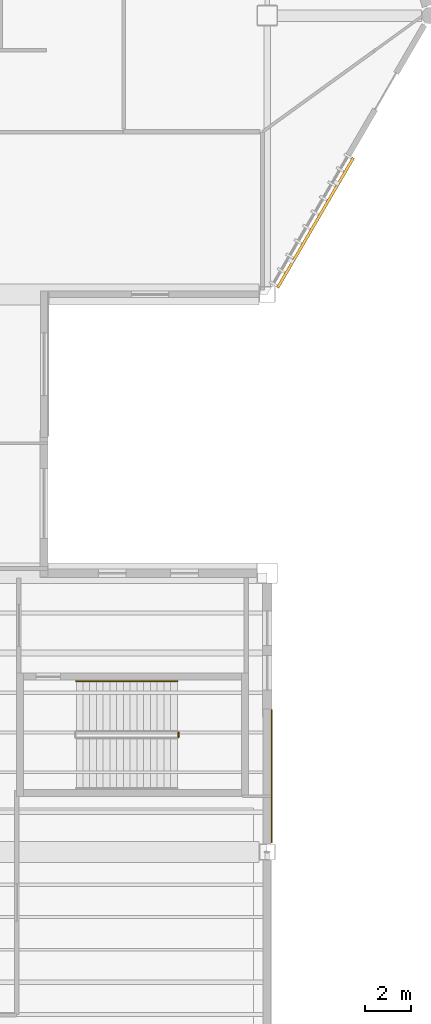
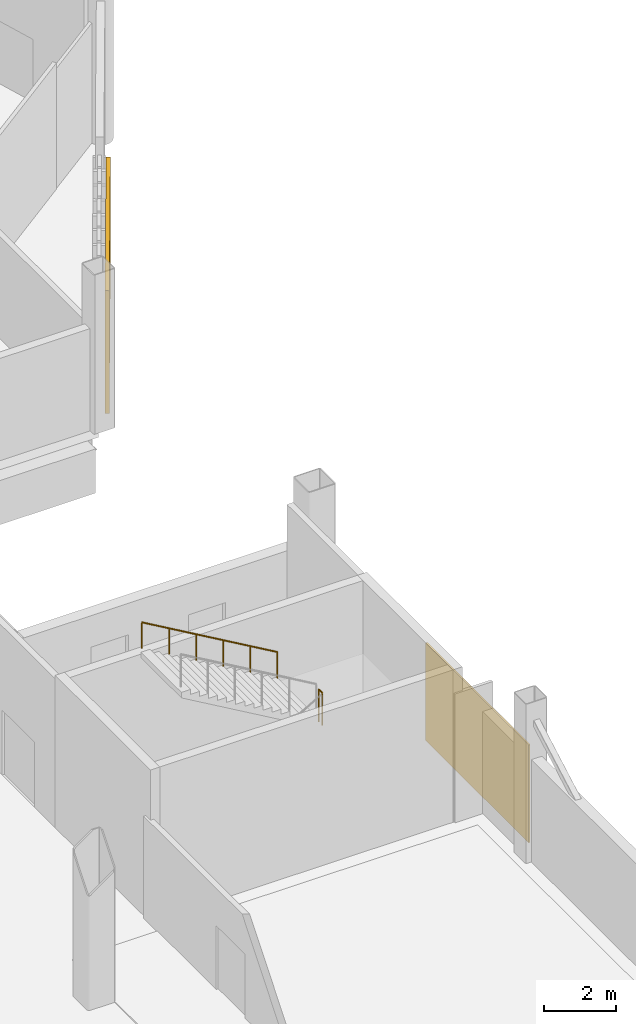
# One storey, part 109 of 111: 2 railings, 1 covering, 1 shading device.
"""IFC4 building model written with IfcOpenShell, lengths in metres."""

from ifc_helpers import new_model, si_unit, direction, frame, origin, origin_2d, place, context, subcontext, project, spatial, rectangle, circle, extrude, material, layer, layer_set, type_object, element, save


model = new_model("IFC4")

# Units and contexts
model_context = context("Model", 3, precision=1e-05, world=origin(), true_north=direction((0.0, 1.0)))
body_context = subcontext(model_context, "Body", "Model", "MODEL_VIEW")
ifc_project = project(units=[si_unit("LENGTHUNIT", "METRE"), si_unit("AREAUNIT", "SQUARE_METRE"), si_unit("VOLUMEUNIT", "CUBIC_METRE"), si_unit("PLANEANGLEUNIT", "RADIAN"), si_unit("MASSUNIT", "GRAM", prefix="KILO")], contexts=[model_context])

# Site, building, storey
site_placement = place(None, origin())
site = spatial("IfcSite", under=ifc_project, at=site_placement, CompositionType="ELEMENT")
building_placement = place(site_placement, origin())
building = spatial("IfcBuilding", under=site, at=building_placement, Name="Larkvane Passage Sports Hall", CompositionType="ELEMENT")
storey_placement = place(building_placement, origin())
storey = spatial("IfcBuildingStorey", under=building, at=storey_placement, Name="L00", CompositionType="ELEMENT", Elevation=0.0)

# Covering
ifc_material_1 = material(Name="Perforated anodised aluminium 5052-H32", Category="aluminium")
ifc_layer_1 = layer(ifc_material_1, 0.050048828125)
ifc_layer_set_1 = layer_set([ifc_layer_1], Name="Perforated anodised aluminium 5052-H32")
covering_type = type_object("IfcCoveringType", Name="COV-MESH-VEIL", PredefinedType="CLADDING", material=ifc_layer_set_1)
covering_placement = place(storey_placement, frame((145.797607421875, 42.855712890625, 0.07470703125), z_axis=(0.0, 0.0, 1.0), x_axis=(0.0, -1.0, 0.0)))
element("IfcCovering", 1, at=covering_placement, inside=storey, type_object=covering_type, Name="Perforated cladding cassette L00-048", PredefinedType="CLADDING", context=body_context, shape_type="SweptSolid", body=[
    extrude(rectangle(XDim=5.719482421875, YDim=0.050048828125, at=origin_2d()), origin(), (0.0, 0.0, 1.0), 3.318115234375),
])

# Railings
ifc_material_2 = material(Name="Steel S355JR", Category="steel")
railing_type_1 = type_object("IfcRailingType", Name="RL-GUARD-1120", PredefinedType="GUARDRAIL", material=ifc_material_2)
railing_1_placement = place(storey_placement, frame((141.780029296875, 44.550048828125, 2.699951171875)))
element("IfcRailing", 2, at=railing_1_placement, inside=storey, type_object=railing_type_1, Name="L00 ST-07 stair guard 2", PredefinedType="GUARDRAIL", context=body_context, shape_type="SweptSolid", body=[
    extrude(circle(Radius=0.02392578125, at=origin_2d()), frame((0.0, 0.001953125, 1.09619140625), z_axis=(0.0, 1.0, 0.0), x_axis=(-1.0, 0.0, 0.0)), (0.0, 0.0, 1.0), 0.196044921875),
    extrude(circle(Radius=0.02099609375, at=origin_2d()), origin(), (0.0, 0.0, 1.0), 1.072021484375),
    extrude(circle(Radius=0.02099609375, at=origin_2d()), frame((0.0, 0.199951171875, 0.0)), (0.0, 0.0, 1.0), 1.072021484375),
])
ifc_material_3 = material(Name="Stainless steel S355JR", Category="steel")
railing_type_2 = type_object("IfcRailingType", Name="RL-HAND-920", PredefinedType="HANDRAIL", material=ifc_material_3)
railing_2_placement = place(storey_placement, frame((141.72998046875, 46.949951171875, 2.86865234375)))
element("IfcRailing", 3, at=railing_2_placement, inside=storey, type_object=railing_type_2, Name="L00 ST-07 stair handrail 2", PredefinedType="HANDRAIL", context=body_context, shape_type="SweptSolid", body=[
    extrude(circle(Radius=0.02392578125, at=origin_2d()), frame((-0.001708984375, 0.0, 0.876953125), z_axis=(-0.864323800911, 0.0, 0.50293574856), x_axis=(0.0, -1.0, 0.0)), (0.0, 0.0, 1.0), 5.029052734375),
    extrude(circle(Radius=0.02099609375, at=origin_2d()), origin(), (0.0, 0.0, 1.0), 0.851806640625),
    extrude(circle(Radius=0.02099609375, at=origin_2d()), frame((-0.8701171875, 0.0, 0.50634765625)), (0.0, 0.0, 1.0), 0.851806640625),
    extrude(circle(Radius=0.02099609375, at=origin_2d()), frame((-1.739990234375, 0.0, 1.012451171875)), (0.0, 0.0, 1.0), 0.851806640625),
    extrude(circle(Radius=0.02099609375, at=origin_2d()), frame((-2.610107421875, 0.0, 1.518798828125)), (0.0, 0.0, 1.0), 0.851806640625),
    extrude(circle(Radius=0.02099609375, at=origin_2d()), frame((-3.47998046875, 0.0, 2.02490234375)), (0.0, 0.0, 1.0), 0.851806640625),
    extrude(circle(Radius=0.02099609375, at=origin_2d()), frame((-4.35009765625, 0.0, 2.53125)), (0.0, 0.0, 1.0), 0.851806640625),
])

# Shading device
ifc_material_4 = material(Name="Extruded aluminium 6063-T6", Category="aluminium")
ifc_layer_2 = layer(ifc_material_4, 0.1201171875)
ifc_layer_set_2 = layer_set([ifc_layer_2], Name="Extruded aluminium 6063-T6")
shading_device_type = type_object("IfcShadingDeviceType", Name="SHD-LOUVRE-STORM", PredefinedType="JALOUSIE", material=ifc_layer_set_2)
shading_device_placement = place(storey_placement, frame((147.677001953125, 66.68408203125, 0.06005859375), z_axis=(0.0, 0.0, 1.0), x_axis=(-0.503871025531, -0.863778900894, 0.0)))
element("IfcShadingDevice", 4, at=shading_device_placement, inside=storey, type_object=shading_device_type, Name="Solar veil screen L00-015", PredefinedType="JALOUSIE", context=body_context, shape_type="SweptSolid", body=[
    extrude(rectangle(XDim=6.471435546875, YDim=0.1201171875, at=origin_2d()), origin(), (0.0, 0.0, 1.0), 4.156005859375),
])

save(model, "model.ifc")
